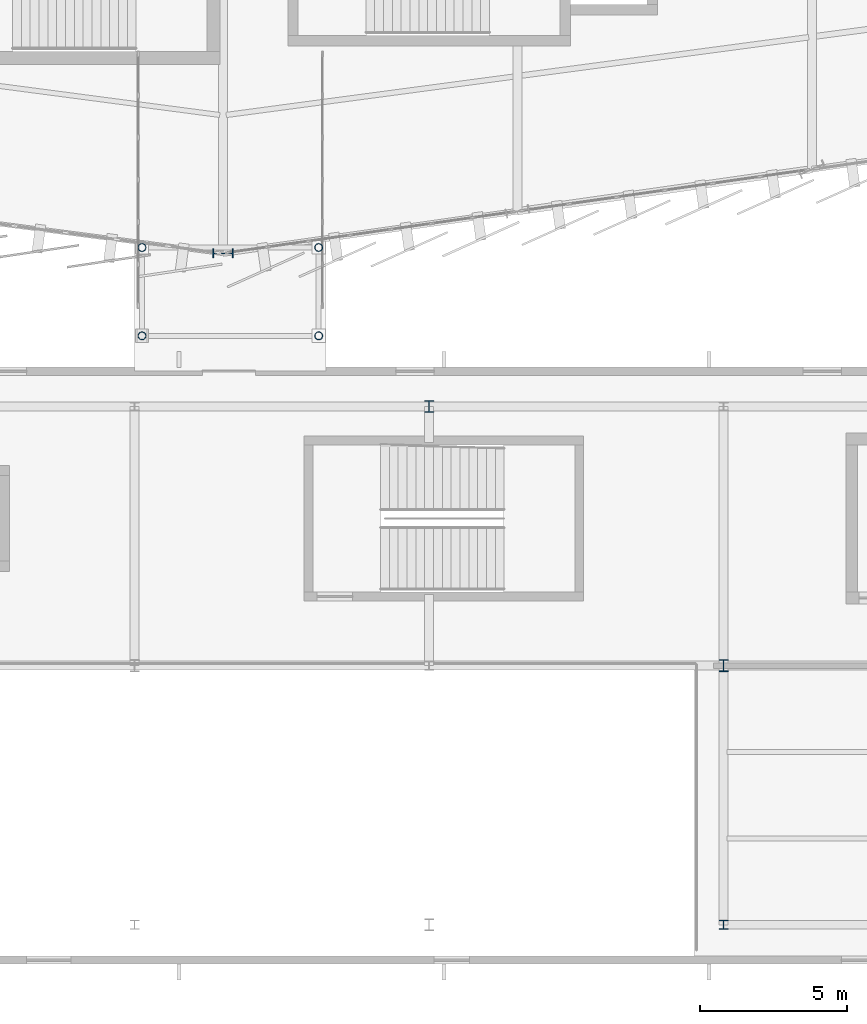
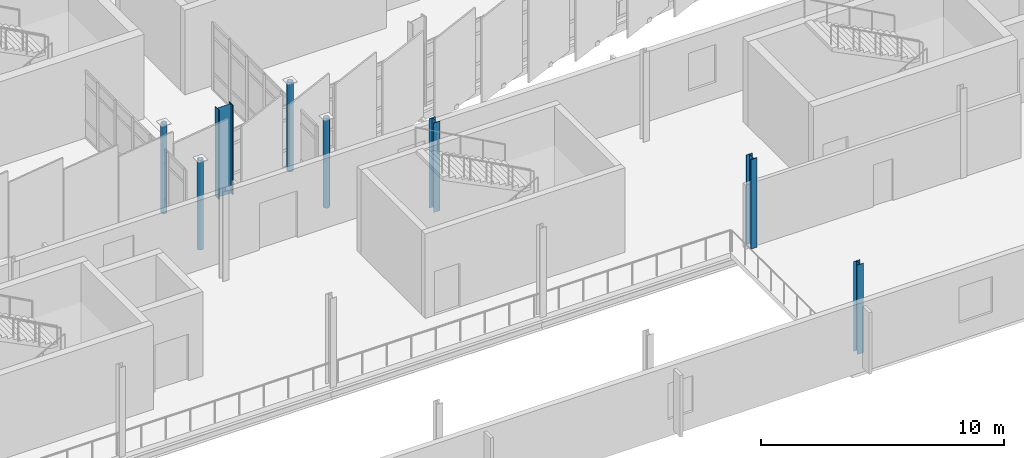
# One storey, part 5 of 134: 8 columns.
"""IFC4 building model written with IfcOpenShell, lengths in metres."""

from ifc_helpers import new_model, si_unit, direction, frame, origin, origin_2d, place, context, subcontext, project, spatial, hollow_circle, i_section, extrude, material, material_profile, profile_set, type_object, element, save


model = new_model("IFC4")

# Units and contexts
model_context = context("Model", 3, precision=1e-05, world=origin(), true_north=direction((0.0, 1.0)))
body_context = subcontext(model_context, "Body", "Model", "MODEL_VIEW")
ifc_project = project(units=[si_unit("LENGTHUNIT", "METRE"), si_unit("AREAUNIT", "SQUARE_METRE"), si_unit("VOLUMEUNIT", "CUBIC_METRE"), si_unit("PLANEANGLEUNIT", "RADIAN"), si_unit("MASSUNIT", "GRAM", prefix="KILO")], contexts=[model_context])

# Site, building, storey
site_placement = place(None, origin())
site = spatial("IfcSite", under=ifc_project, at=site_placement, CompositionType="ELEMENT")
building_placement = place(site_placement, origin())
building = spatial("IfcBuilding", under=site, at=building_placement, Name="Sohan Crest Arena", CompositionType="ELEMENT")
storey_placement = place(building_placement, frame((0.0, 0.0, 4.5)))
storey = spatial("IfcBuildingStorey", under=building, at=storey_placement, Name="L01", CompositionType="ELEMENT", Elevation=4.5)

# Columns
ifc_material = material(Name="Steel S355", Category="steel")
ifc_material_profile_1 = material_profile(ifc_material, i_section(OverallWidth=0.300048828125, OverallDepth=0.300048828125, WebThickness=0.010986328125, FlangeThickness=0.01904296875, at=origin_2d()), Name="HEB 300")
ifc_profile_set_1 = profile_set([ifc_material_profile_1], Name="Steel S355")
column_type_1 = type_object("IfcColumnType", Name="STR-COL-C17", PredefinedType="COLUMN", material=ifc_profile_set_1)
column_1_placement = place(storey_placement, frame((115.0, 7.199951171875, 0.0), z_axis=(0.0, 0.0, 1.0), x_axis=(1.0, 0.0, 0.0)))
element("IfcColumn", 1, at=column_1_placement, inside=storey, type_object=column_type_1, Name="Structural column COL-V5C-05-1-L01", PredefinedType="COLUMN", context=body_context, shape_type="SweptSolid", body=[
    extrude(i_section(OverallWidth=0.300048828125, OverallDepth=0.300048828125, WebThickness=0.010986328125, FlangeThickness=0.01904296875, at=origin_2d()), origin(), (0.0, 0.0, 1.0), 4.5),
])
ifc_material_profile_2 = material_profile(ifc_material, i_section(OverallWidth=0.300048828125, OverallDepth=0.39990234375, WebThickness=0.013427734375, FlangeThickness=0.02392578125, at=origin_2d()), Name="HEB 400")
ifc_profile_set_2 = profile_set([ifc_material_profile_2], Name="Steel S355")
column_type_2 = type_object("IfcColumnType", Name="STR-COL-C18", PredefinedType="COLUMN", material=ifc_profile_set_2)
for number, where, z_axis, x_axis, name in (
    (2, (105.0, 24.800048828125, 0.0), (0.0, 0.0, 1.0), (1.0, 0.0, 0.0), "Structural column COL-V5C-04-3-L01"),
    (3, (115.0, 16.0, 0.0), (0.0, 0.0, 1.0), (1.0, 0.0, 0.0), "Structural column COL-V5C-05-2-L01"),
):
    element("IfcColumn", number, at=place(storey_placement, frame(where, z_axis=z_axis, x_axis=x_axis)), inside=storey, type_object=column_type_2, Name=name, PredefinedType="COLUMN", context=body_context, shape_type="SweptSolid", body=[
        extrude(i_section(OverallWidth=0.300048828125, OverallDepth=0.39990234375, WebThickness=0.013427734375, FlangeThickness=0.02392578125, at=origin_2d()), origin(), (0.0, 0.0, 1.0), 4.5),
    ])
ifc_material_profile_3 = material_profile(ifc_material, i_section(OverallWidth=0.300048828125, OverallDepth=0.699951171875, WebThickness=0.01708984375, FlangeThickness=0.031982421875, at=origin_2d()), Name="HEB 700")
ifc_profile_set_3 = profile_set([ifc_material_profile_3], Name="Steel S355")
column_type_3 = type_object("IfcColumnType", Name="STR-COL-C21", PredefinedType="COLUMN", material=ifc_profile_set_3)
column_2_placement = place(storey_placement, frame((98.0, 30.0, 0.0), z_axis=(0.0, 0.0, 1.0), x_axis=(0.0, 1.0, 0.0)))
element("IfcColumn", 4, at=column_2_placement, inside=storey, type_object=column_type_3, Name="Structural column COL-V2O-13-L01", PredefinedType="COLUMN", context=body_context, shape_type="SweptSolid", body=[
    extrude(i_section(OverallWidth=0.300048828125, OverallDepth=0.699951171875, WebThickness=0.01708984375, FlangeThickness=0.031982421875, at=origin_2d()), origin(), (0.0, 0.0, 1.0), 4.5),
])
ifc_material_profile_4 = material_profile(ifc_material, hollow_circle(Radius=0.136474609375, WallThickness=0.012451171875, at=origin_2d()), Name="CHS 273x12.5")
ifc_profile_set_4 = profile_set([ifc_material_profile_4], Name="Steel S355")
column_type_4 = type_object("IfcColumnType", Name="STR-COL-C25", PredefinedType="COLUMN", material=ifc_profile_set_4)
for number, where, z_axis, x_axis, name in (
    (5, (95.25, 27.199951171875, 0.0), (0.0, 0.0, 1.0), (1.0, 0.0, 0.0), "Structural column COL-BC-BR-S1-1-L01"),
    (6, (95.25, 30.199951171875, 0.0), (0.0, 0.0, 1.0), (1.0, 0.0, 0.0), "Structural column COL-BC-BR-S1-2-L01"),
    (7, (101.25, 27.199951171875, 0.0), (0.0, 0.0, 1.0), (1.0, 0.0, 0.0), "Structural column COL-BC-BR-S1-3-L01"),
    (8, (101.25, 30.199951171875, 0.0), (0.0, 0.0, 1.0), (1.0, 0.0, 0.0), "Structural column COL-BC-BR-S1-4-L01"),
):
    element("IfcColumn", number, at=place(storey_placement, frame(where, z_axis=z_axis, x_axis=x_axis)), inside=storey, type_object=column_type_4, Name=name, PredefinedType="COLUMN", context=body_context, shape_type="SweptSolid", body=[
        extrude(hollow_circle(Radius=0.136474609375, WallThickness=0.012451171875, at=origin_2d()), origin(), (0.0, 0.0, 1.0), 4.5),
    ])

save(model, "model.ifc")
